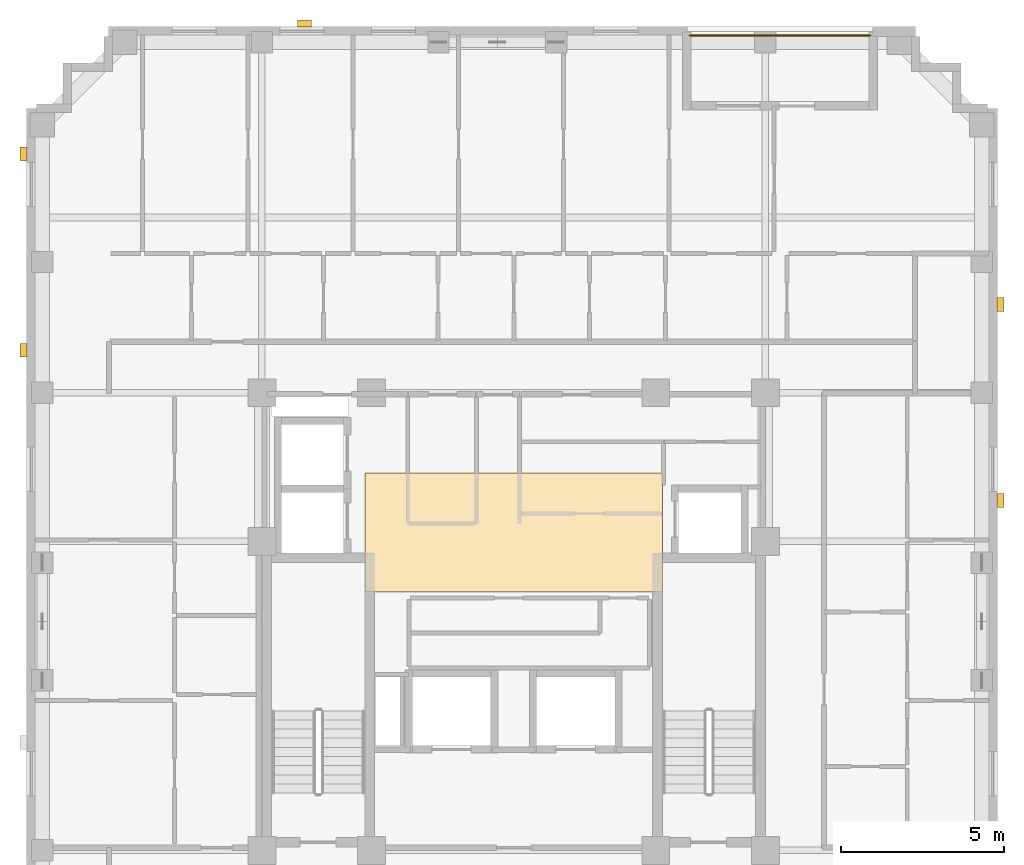
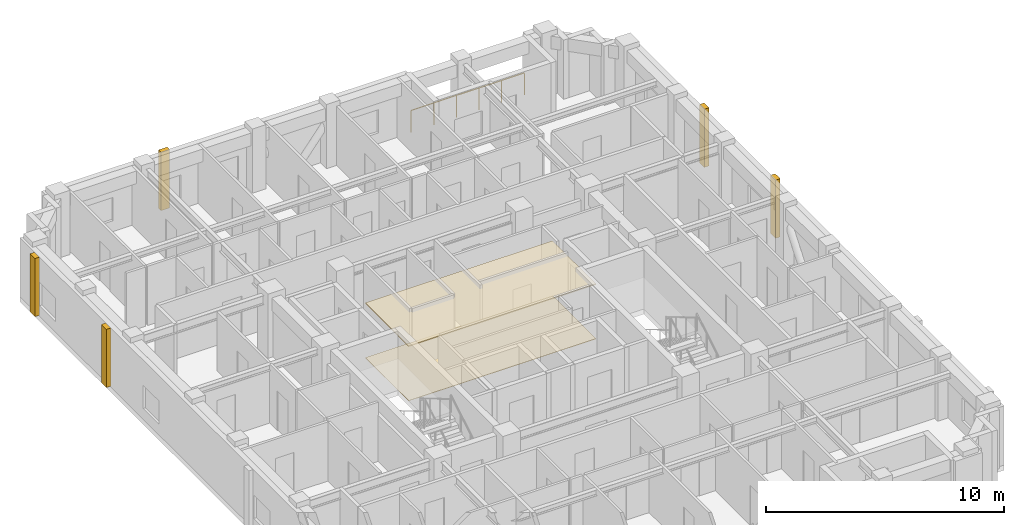
# One storey, part 11 of 11: 7 coverings, 1 railing.
"""IFC4 building model written with IfcOpenShell, lengths in metres."""

from ifc_helpers import new_model, si_unit, derived_unit, direction, frame, origin, origin_2d, place, context, subcontext, project, spatial, polyline, rectangle, circle, outline, extrude, material, layer, layer_set, type_object, element, save


model = new_model("IFC4")

# Units and contexts
model_context = context("Model", 3, precision=1e-05, world=origin(), true_north=direction((0.0, 1.0)))
body_context = subcontext(model_context, "Body", "Model", "MODEL_VIEW")
ifc_project = project(units=[si_unit("LENGTHUNIT", "METRE"), si_unit("AREAUNIT", "SQUARE_METRE"), si_unit("VOLUMEUNIT", "CUBIC_METRE"), si_unit("PLANEANGLEUNIT", "RADIAN"), si_unit("MASSUNIT", "GRAM", prefix="KILO"), derived_unit("THERMALTRANSMITTANCEUNIT", [(si_unit("MASSUNIT", "GRAM", prefix="KILO"), 1), (si_unit("TIMEUNIT", "SECOND"), -3), (si_unit("THERMODYNAMICTEMPERATUREUNIT", "KELVIN"), -1)])], contexts=[model_context])

# Site, building, storey
site_placement = place(None, origin())
site = spatial("IfcSite", under=ifc_project, at=site_placement, CompositionType="ELEMENT")
building_placement = place(site_placement, origin())
building = spatial("IfcBuilding", under=site, at=building_placement, Name="Korrvale Station Residences", CompositionType="ELEMENT")
storey_placement = place(building_placement, frame((0.0, 0.0, 197.5)))
storey = spatial("IfcBuildingStorey", under=building, at=storey_placement, Name="L57", CompositionType="ELEMENT", Elevation=197.5)

# Coverings
ifc_material_1 = material(Name="Perforated acoustic mineral-fibre suspended ceiling", Category="gypsum")
ifc_layer_1 = layer(ifc_material_1, 0.050048828125, Name="Perforated acoustic mineral-fibre suspended ceiling")
ifc_layer_set_1 = layer_set([ifc_layer_1], Name="Perforated acoustic mineral-fibre suspended ceiling")
covering_type_1 = type_object("IfcCoveringType", Name="COV-CLG-AC60", PredefinedType="CEILING", material=ifc_layer_set_1)
covering_1_placement = place(storey_placement, frame((0.0, 0.0, 2.7900390625)))
element("IfcCovering", 1, at=covering_1_placement, inside=storey, type_object=covering_type_1, Name="L57 Elevator Lobby Acoustic Ceiling", PredefinedType="CEILING", context=body_context, shape_type="SweptSolid", body=[
    extrude(outline(polyline([(20.949951171875, 22.89990234375), (30.050048828125, 22.89990234375), (30.050048828125, 26.550048828125), (20.949951171875, 26.550048828125), (20.949951171875, 22.89990234375)])), origin(), (0.0, 0.0, 1.0), 0.050048828125),
])
ifc_material_2 = material(Name="Polished quartz-terrazzo lobby flooring", Category="masonry")
ifc_layer_2 = layer(ifc_material_2, 0.02001953125, Name="Polished quartz-terrazzo lobby flooring")
ifc_layer_set_2 = layer_set([ifc_layer_2], Name="Polished quartz-terrazzo lobby flooring")
covering_type_2 = type_object("IfcCoveringType", Name="COV-FLR-TER20", PredefinedType="FLOORING", material=ifc_layer_set_2)
covering_2_placement = place(storey_placement, origin())
element("IfcCovering", 2, at=covering_2_placement, inside=storey, type_object=covering_type_2, Name="L57 Elevator Lobby Terrazzo Flooring", PredefinedType="FLOORING", context=body_context, shape_type="SweptSolid", body=[
    extrude(outline(polyline([(20.949951171875, 22.89990234375), (30.050048828125, 22.89990234375), (30.050048828125, 26.550048828125), (20.949951171875, 26.550048828125), (20.949951171875, 22.89990234375)])), origin(), (0.0, 0.0, 1.0), 0.02001953125),
])
ifc_material_3 = material(Name="Architectural precast concrete C45/55", Category="concrete")
ifc_layer_3 = layer(ifc_material_3, 0.219970703125, Name="Architectural precast concrete C45/55")
ifc_layer_set_3 = layer_set([ifc_layer_3], Name="Architectural precast concrete C45/55")
covering_type_3 = type_object("IfcCoveringType", Name="COV-PIER-400", PredefinedType="CLADDING", material=ifc_layer_set_3)
for number, where, z_axis, x_axis, name in (
    (3, (19.10009765625, 40.2900390625, 0.02490234375), (0.0, 0.0, 1.0), (1.0, 0.0, 0.0), "L57 Architectural Precast Facade Pier 01"),
    (4, (10.510009765625, 30.300048828125, 0.02490234375), (0.0, 0.0, 1.0), (0.0, 1.0, 0.0), "L57 Architectural Precast Facade Pier 04"),
    (5, (10.510009765625, 36.300048828125, 0.02490234375), (0.0, 0.0, 1.0), (0.0, 1.0, 0.0), "L57 Architectural Precast Facade Pier 05"),
    (6, (40.389892578125, 31.699951171875, 0.02490234375), (0.0, 0.0, 1.0), (0.0, 1.0, 0.0), "L57 Architectural Precast Facade Pier 06"),
    (7, (40.389892578125, 25.699951171875, 0.02490234375), (0.0, 0.0, 1.0), (0.0, 1.0, 0.0), "L57 Architectural Precast Facade Pier 07"),
):
    element("IfcCovering", number, at=place(storey_placement, frame(where, z_axis=z_axis, x_axis=x_axis)), inside=storey, type_object=covering_type_3, Name=name, PredefinedType="CLADDING", context=body_context, shape_type="SweptSolid", body=[
        extrude(rectangle(XDim=0.419921875, YDim=0.219970703125, at=origin_2d()), origin(), (0.0, 0.0, 1.0), 2.989990234375),
    ])

# Railing
ifc_material_4 = material(Name="Powder-coated aluminium picket loggia guard", Category="aluminium")
railing_type = type_object("IfcRailingType", Name="RLG-BAL-1150", PredefinedType="GUARDRAIL", material=ifc_material_4)
railing_placement = place(storey_placement, frame((30.89990234375, 39.929931640625, 0.0)))
element("IfcRailing", 8, at=railing_placement, inside=storey, type_object=railing_type, Name="L57 Recessed Loggia Guardrail BAL-L57-N1", PredefinedType="GUARDRAIL", context=body_context, shape_type="SweptSolid", body=[
    extrude(circle(Radius=0.02392578125, at=origin_2d()), frame((0.0, 0.0, 1.1259765625), z_axis=(1.0, 0.0, 0.0), x_axis=(0.0, 1.0, 0.0)), (0.0, 0.0, 1.0), 5.5),
    extrude(circle(Radius=0.02099609375, at=origin_2d()), origin(), (0.0, 0.0, 1.0), 1.101806640625),
    extrude(circle(Radius=0.02099609375, at=origin_2d()), frame((1.10009765625, 0.0, 0.0)), (0.0, 0.0, 1.0), 1.101806640625),
    extrude(circle(Radius=0.02099609375, at=origin_2d()), frame((2.199951171875, 0.0, 0.0)), (0.0, 0.0, 1.0), 1.101806640625),
    extrude(circle(Radius=0.02099609375, at=origin_2d()), frame((3.300048828125, 0.0, 0.0)), (0.0, 0.0, 1.0), 1.101806640625),
    extrude(circle(Radius=0.02099609375, at=origin_2d()), frame((4.39990234375, 0.0, 0.0)), (0.0, 0.0, 1.0), 1.101806640625),
    extrude(circle(Radius=0.02099609375, at=origin_2d()), frame((5.5, 0.0, 0.0)), (0.0, 0.0, 1.0), 1.101806640625),
])

save(model, "model.ifc")
